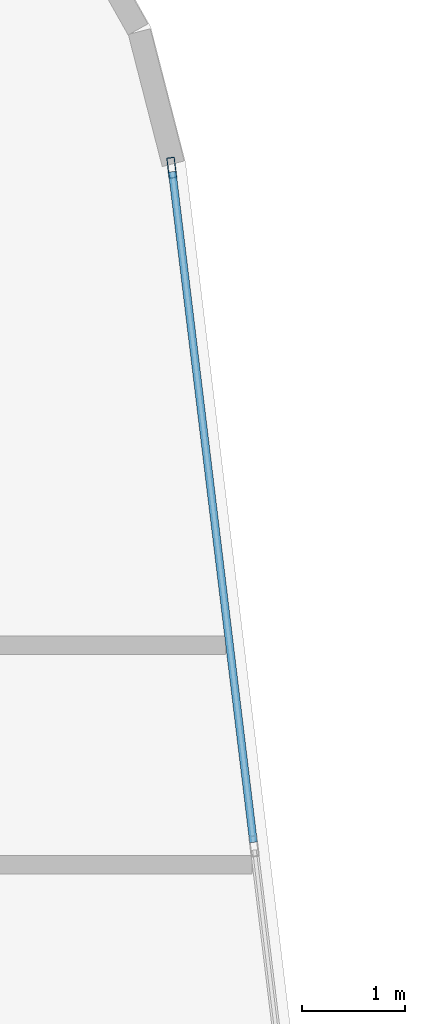
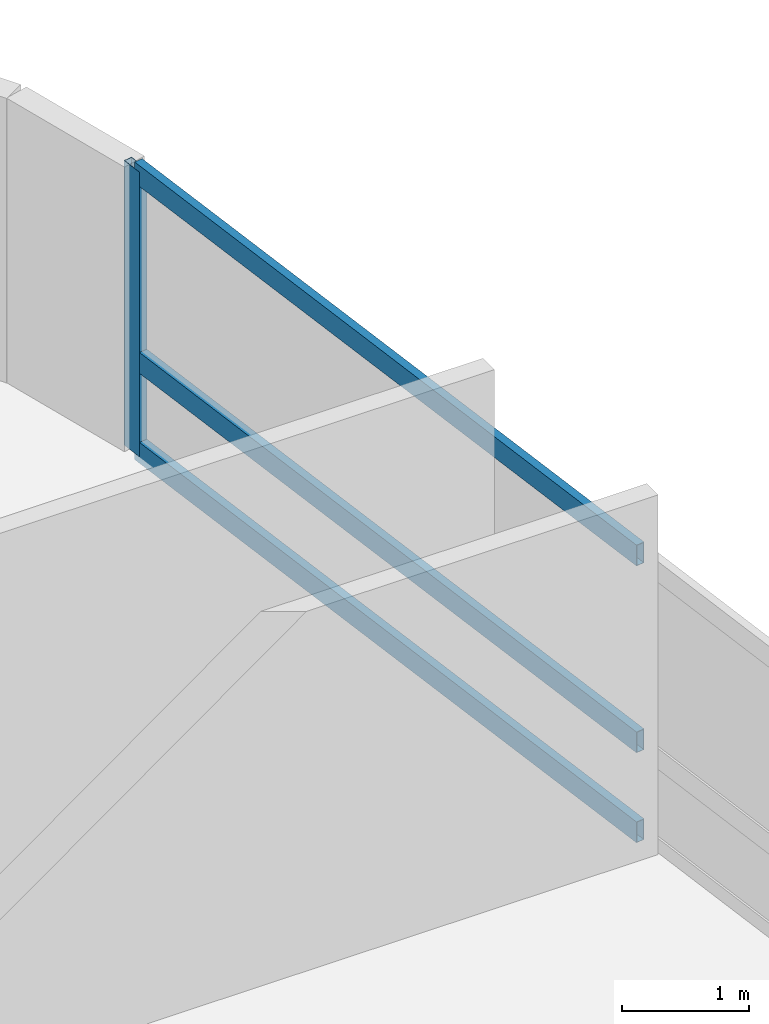
# One storey, part 12 of 22: 4 members, 1 element without a shape of its own.
"""IFC4 building model written with IfcOpenShell, lengths in metres."""

from ifc_helpers import new_model, si_unit, direction, frame, origin, origin_2d, place, context, subcontext, project, spatial, hollow_rectangle, extrude, material, layer, layer_set, material_profile, profile_set, type_object, element, aggregate, save


model = new_model("IFC4")

# Units and contexts
model_context = context("Model", 3, precision=1e-05, world=origin(), true_north=direction((0.0, 1.0)))
body_context = subcontext(model_context, "Body", "Model", "MODEL_VIEW")
ifc_project = project(units=[si_unit("LENGTHUNIT", "METRE"), si_unit("AREAUNIT", "SQUARE_METRE"), si_unit("VOLUMEUNIT", "CUBIC_METRE"), si_unit("PLANEANGLEUNIT", "RADIAN"), si_unit("MASSUNIT", "GRAM", prefix="KILO")], contexts=[model_context])

# Site, building, storey
site_placement = place(None, origin())
site = spatial("IfcSite", under=ifc_project, at=site_placement, CompositionType="ELEMENT")
building_placement = place(site_placement, origin())
building = spatial("IfcBuilding", under=site, at=building_placement, Name="Varnelok Gate Tower", CompositionType="ELEMENT")
storey_placement = place(building_placement, frame((0.0, 0.0, 185.699951171875)))
storey = spatial("IfcBuildingStorey", under=building, at=storey_placement, Name="L47", CompositionType="ELEMENT", Elevation=185.699951171875)

# Curtain wall, members
ifc_material = material(Name="Anodized Aluminum Alloy 6063-T6", Category="aluminium")
ifc_layer = layer(ifc_material, 0.179931640625)
ifc_layer_set = layer_set([ifc_layer], Name="Anodized Aluminum Alloy 6063-T6")
curtain_wall_type = type_object("IfcCurtainWallType", Name="CW4-RESIDENCE-VISION", PredefinedType="USERDEFINED", material=ifc_layer_set)
curtain_wall_placement = place(storey_placement, origin())
curtain_wall = element("IfcCurtainWall", 1, at=curtain_wall_placement, inside=storey, type_object=curtain_wall_type, Name="L47 East End Vision Curtain Wall", ObjectType="UNITISED CURTAIN WALL", PredefinedType="USERDEFINED")
ifc_material_profile_1 = material_profile(ifc_material, hollow_rectangle(XDim=0.074951171875, YDim=0.199951171875, WallThickness=0.00390625, at=origin_2d()), Name="ALU200X75X4")
ifc_profile_set_1 = profile_set([ifc_material_profile_1], Name="Anodized Aluminum Alloy 6063-T6")
member_type_1 = type_object("IfcMemberType", Name="CW-MULL-200", PredefinedType="MULLION", material=ifc_profile_set_1)
member_1_placement = place(storey_placement, frame((72.09912109375, 46.07275390625, 0.0), z_axis=(0.0, 0.0, 1.0), x_axis=(0.992732188751, 0.120344511371, 0.0)))
member_1 = element("IfcMember", 2, at=member_1_placement, type_object=member_type_1, Name="CW4 mullion 1", PredefinedType="MULLION", context=body_context, shape_type="SweptSolid", body=[
    extrude(hollow_rectangle(XDim=0.074951171875, YDim=0.199951171875, WallThickness=0.00390625, at=origin_2d()), origin(), (0.0, 0.0, 1.0), 2.72998046875),
])
ifc_material_profile_2 = material_profile(ifc_material, hollow_rectangle(XDim=0.074951171875, YDim=0.199951171875, WallThickness=0.00390625, at=origin_2d()), Name="ALU200X75X4")
ifc_profile_set_2 = profile_set([ifc_material_profile_2], Name="Anodized Aluminum Alloy 6063-T6")
member_type_2 = type_object("IfcMemberType", Name="CW-TRAN-200", PredefinedType="USERDEFINED", material=ifc_profile_set_2)
member_2_placement = place(storey_placement, frame((72.103759765625, 46.035400390625, 0.03759765625), z_axis=(0.120332477695, -0.992733647466, 0.0), x_axis=(0.992733647466, 0.120332477695, 0.0)))
member_2 = element("IfcMember", 3, at=member_2_placement, type_object=member_type_2, Name="CW4 transom 1.1", ObjectType="TRANSOM", PredefinedType="USERDEFINED", context=body_context, shape_type="SweptSolid", body=[
    extrude(hollow_rectangle(XDim=0.074951171875, YDim=0.199951171875, WallThickness=0.00390625, at=origin_2d()), origin(), (0.0, 0.0, 1.0), 6.5673828125),
])
member_3_placement = place(storey_placement, frame((72.103759765625, 46.035400390625, 0.900146484375), z_axis=(0.120332477695, -0.992733647466, 0.0), x_axis=(0.992733647466, 0.120332477695, 0.0)))
member_3 = element("IfcMember", 4, at=member_3_placement, type_object=member_type_2, Name="CW4 transom 1.2", ObjectType="TRANSOM", PredefinedType="USERDEFINED", context=body_context, shape_type="SweptSolid", body=[
    extrude(hollow_rectangle(XDim=0.074951171875, YDim=0.199951171875, WallThickness=0.00390625, at=origin_2d()), origin(), (0.0, 0.0, 1.0), 6.5673828125),
])
member_4_placement = place(storey_placement, frame((72.103759765625, 46.035400390625, 2.692626953125), z_axis=(0.120332477695, -0.992733647466, 0.0), x_axis=(0.992733647466, 0.120332477695, 0.0)))
member_4 = element("IfcMember", 5, at=member_4_placement, type_object=member_type_2, Name="CW4 transom 1.3", ObjectType="TRANSOM", PredefinedType="USERDEFINED", context=body_context, shape_type="SweptSolid", body=[
    extrude(hollow_rectangle(XDim=0.074951171875, YDim=0.199951171875, WallThickness=0.00390625, at=origin_2d()), origin(), (0.0, 0.0, 1.0), 6.5673828125),
])
aggregate(curtain_wall, [member_1, member_2, member_3, member_4])

save(model, "model.ifc")
